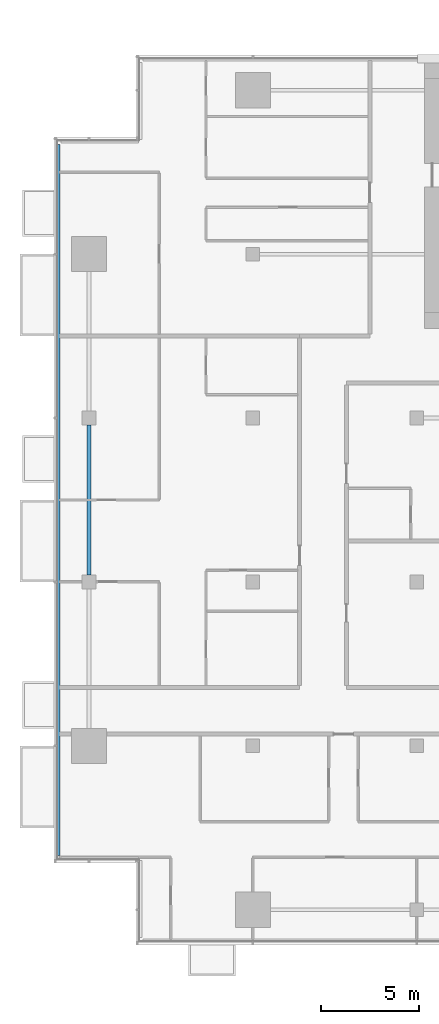
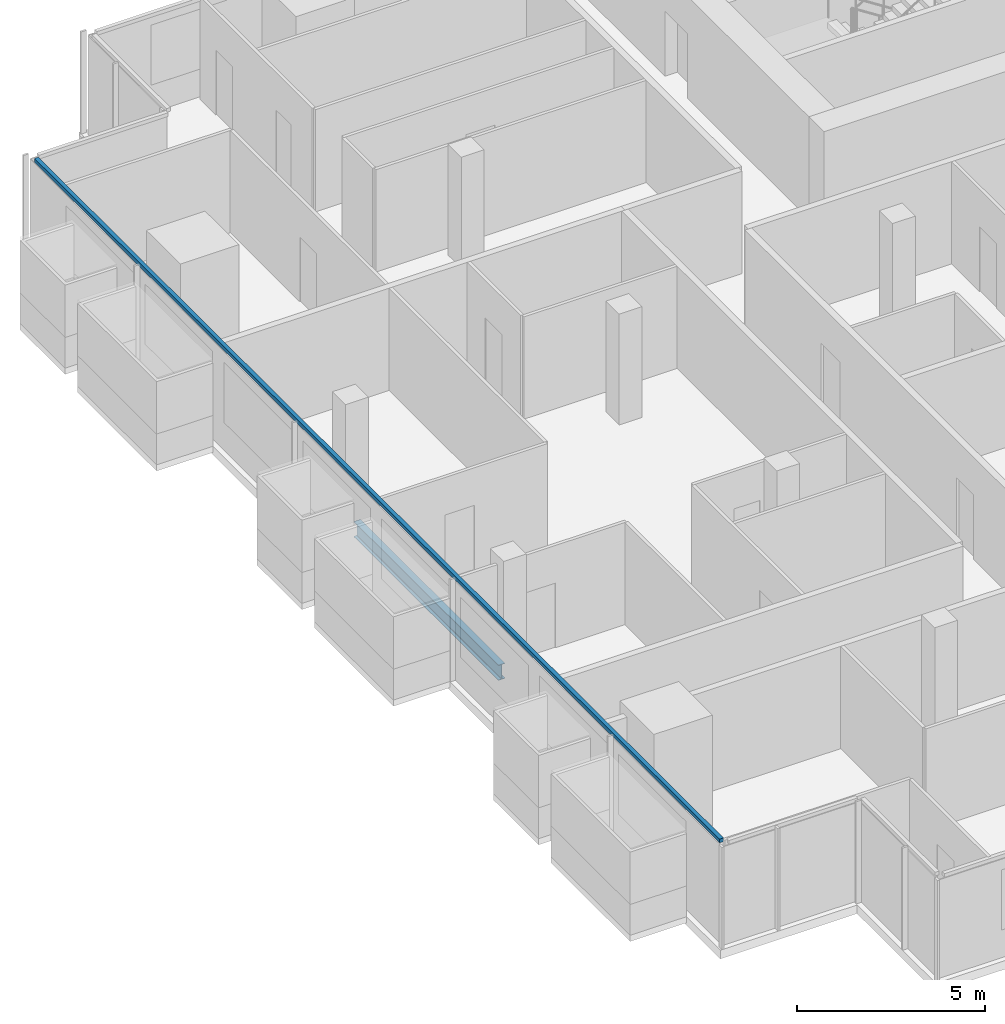
# One storey, part 3 of 28: 1 beam, 1 member, 1 element without a shape of its own.
"""IFC4 building model written with IfcOpenShell, lengths in metres."""

from ifc_helpers import new_model, si_unit, direction, frame, origin, origin_2d, place, context, subcontext, project, spatial, rectangle, i_section, extrude, material, material_profile, profile_set, type_object, element, aggregate, save


model = new_model("IFC4")

# Units and contexts
model_context = context("Model", 3, precision=1e-05, world=origin(), true_north=direction((0.0, 1.0)))
body_context = subcontext(model_context, "Body", "Model", "MODEL_VIEW")
ifc_project = project(units=[si_unit("LENGTHUNIT", "METRE"), si_unit("AREAUNIT", "SQUARE_METRE"), si_unit("VOLUMEUNIT", "CUBIC_METRE"), si_unit("PLANEANGLEUNIT", "RADIAN"), si_unit("MASSUNIT", "GRAM", prefix="KILO")], contexts=[model_context])

# Site, building, storey
site_placement = place(None, origin())
site = spatial("IfcSite", under=ifc_project, at=site_placement, CompositionType="ELEMENT")
building_placement = place(site_placement, origin())
building = spatial("IfcBuilding", under=site, at=building_placement, Name="Saffron Gate Tower", CompositionType="ELEMENT")
storey_placement = place(building_placement, frame((0.0, 0.0, 151.050048828125)))
storey = spatial("IfcBuildingStorey", under=building, at=storey_placement, Name="L36", CompositionType="ELEMENT", Elevation=151.050048828125)

# Beam
ifc_material_1 = material(Name="Structural steel S355", Category="steel")
ifc_material_profile_1 = material_profile(ifc_material_1, i_section(OverallWidth=0.199951171875, OverallDepth=0.5, WebThickness=0.01025390625, FlangeThickness=0.01611328125, FilletRadius=0.02099609375, at=origin_2d()))
ifc_profile_set_1 = profile_set([ifc_material_profile_1], Name="Structural steel S355")
beam_type = type_object("IfcBeamType", Name="B11 IPE 500", PredefinedType="SPANDREL", material=ifc_profile_set_1)
beam_placement = place(storey_placement, frame((49.800048828125, 48.949951171875, -0.530029296875), z_axis=(0.0, 1.0, 0.0), x_axis=(-1.0, 0.0, 0.0)))
element("IfcBeam", 1, at=beam_placement, inside=storey, type_object=beam_type, Name="B11 SPANDREL BEAM", PredefinedType="SPANDREL", context=body_context, shape_type="SweptSolid", body=[
    extrude(i_section(OverallWidth=0.199951171875, OverallDepth=0.5, WebThickness=0.01025390625, FlangeThickness=0.01611328125, FilletRadius=0.02099609375, at=origin_2d()), origin(), (0.0, 0.0, 1.0), 7.699951171875),
])

# Curtain wall, member
ifc_material_2 = material(Name="Aluminium, bronze anodised", Category="aluminium")
curtain_wall_type = type_object("IfcCurtainWallType", Name="CWS2 curtain wall side facades", PredefinedType="NOTDEFINED", material=ifc_material_2)
curtain_wall_placement = place(storey_placement, origin())
curtain_wall = element("IfcCurtainWall", 2, at=curtain_wall_placement, inside=storey, type_object=curtain_wall_type, Name="CWS2 run 10", PredefinedType="NOTDEFINED")
ifc_material_profile_2 = material_profile(ifc_material_2, rectangle(XDim=0.1201171875, YDim=0.1201171875, at=origin_2d()))
ifc_profile_set_2 = profile_set([ifc_material_profile_2], Name="Aluminium, bronze anodised")
member_type = type_object("IfcMemberType", Name="CWS2 head transom", PredefinedType="USERDEFINED", material=ifc_profile_set_2)
member_placement = place(storey_placement, frame((48.248046875, 71.031982421875, 3.260009765625), z_axis=(0.0, -1.0, 0.0), x_axis=(1.0, 0.0, 0.0)))
member = element("IfcMember", 3, at=member_placement, type_object=member_type, Name="CWS2 head transom", ObjectType="TRANSOM", PredefinedType="USERDEFINED", context=body_context, shape_type="SweptSolid", body=[
    extrude(rectangle(XDim=0.1201171875, YDim=0.1201171875, at=origin_2d()), origin(), (0.0, 0.0, 1.0), 36.4638671875),
])
aggregate(curtain_wall, [member])

save(model, "model.ifc")
